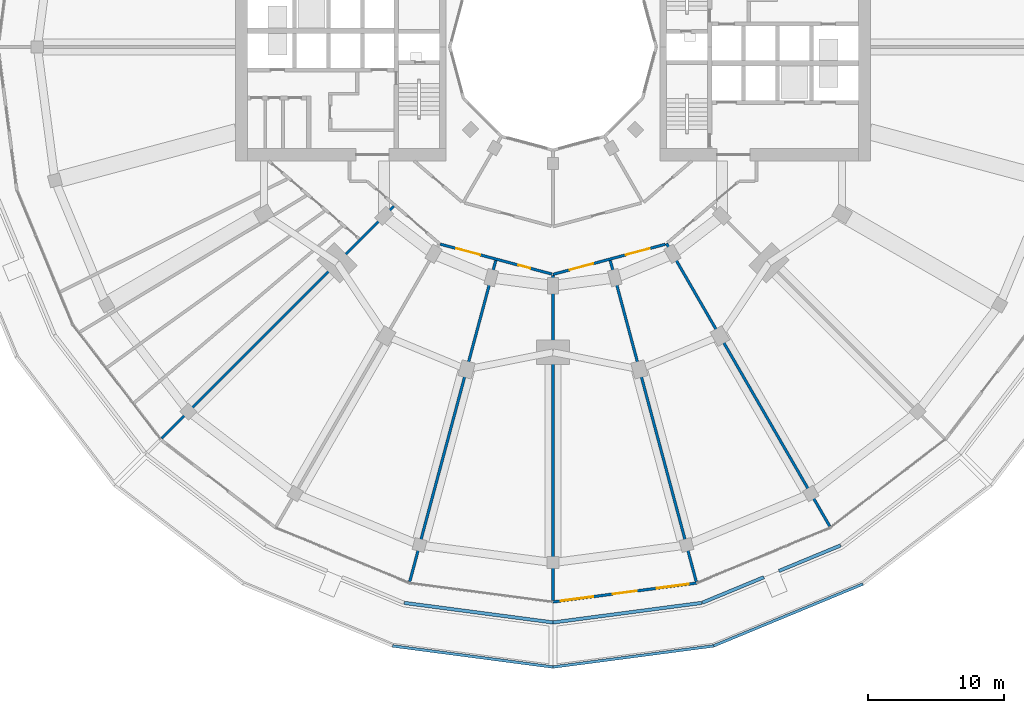
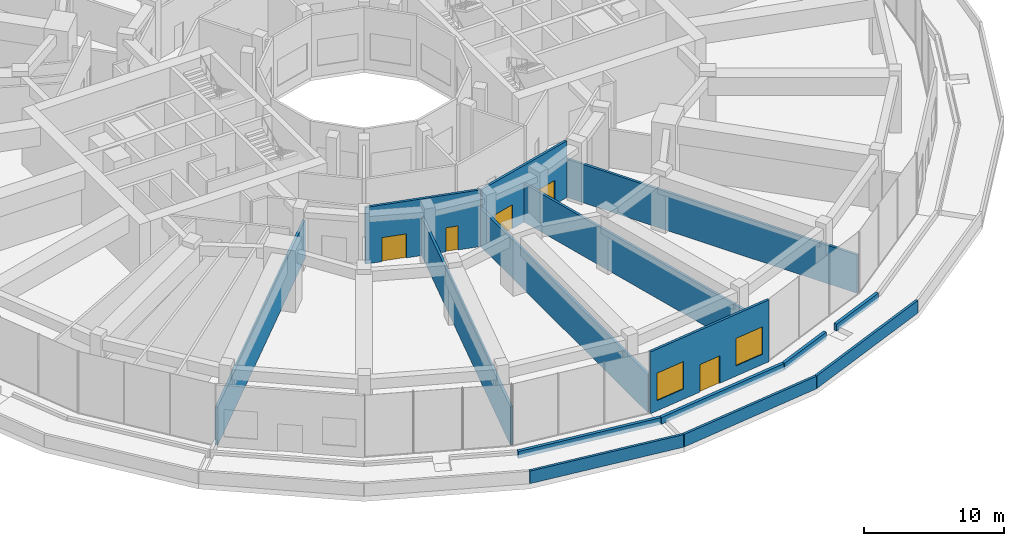
# One storey, part 21 of 30: 15 walls, 5 doors, 2 windows, 7 openings.
"""IFC4 building model written with IfcOpenShell, lengths in metres."""

from ifc_helpers import new_model, si_unit, direction, frame, frame_2d, origin, place, context, subcontext, project, spatial, rectangle, extrude, material, layer, layer_set, type_object, element, fill, save


model = new_model("IFC4")

# Units and contexts
model_context = context("Model", 3, precision=1e-05, world=origin(), true_north=direction((0.0, 1.0)))
body_context = subcontext(model_context, "Body", "Model", "MODEL_VIEW")
ifc_project = project(units=[si_unit("LENGTHUNIT", "METRE"), si_unit("AREAUNIT", "SQUARE_METRE"), si_unit("VOLUMEUNIT", "CUBIC_METRE"), si_unit("PLANEANGLEUNIT", "RADIAN"), si_unit("MASSUNIT", "GRAM", prefix="KILO")], contexts=[model_context])

# Site, building, storey
site_placement = place(None, origin())
site = spatial("IfcSite", under=ifc_project, at=site_placement, CompositionType="ELEMENT")
building_placement = place(site_placement, origin())
building = spatial("IfcBuilding", under=site, at=building_placement, Name="Torre Brocal", CompositionType="ELEMENT")
storey_placement = place(building_placement, frame((0.0, 0.0, 7.0)))
storey = spatial("IfcBuildingStorey", under=building, at=storey_placement, Name="L01", CompositionType="ELEMENT", Elevation=7.0)

# Wall, openings, windows, door
ifc_material_1 = material(Name="Concrete C40", Category="concrete")
ifc_layer_1 = layer(ifc_material_1, 0.199951171875)
ifc_layer_set_1 = layer_set([ifc_layer_1], Name="Concrete C40")
wall_type_1 = type_object("IfcWallType", Name="EXTERNAL WALL 200", PredefinedType="NOTDEFINED", material=ifc_layer_set_1)
wall_1_placement = place(storey_placement, frame((80.0, 34.100830078125, 0.0), z_axis=(0.0, 0.0, 1.0), x_axis=(0.991445420614, 0.130521944298, 0.0)))
wall_1 = element("IfcWall", 1, at=wall_1_placement, inside=storey, type_object=wall_type_1, Name="EXTERNAL WALL", PredefinedType="NOTDEFINED", context=body_context, shape_type="SweptSolid", body=[
    extrude(rectangle(XDim=10.6767578125, YDim=0.199951171875, at=frame_2d((5.33837890625, 0.0))), origin(), (0.0, 0.0, 1.0), 5.39990234375),
])
opening_1_placement = place(wall_1_placement, frame((0.57958984375, 0.0, 0.89990234375)))
opening_1 = element("IfcOpeningElement", 2, at=opening_1_placement, cuts=wall_1, Name="Opening W6", PredefinedType="OPENING", context=body_context, shape_type="SweptSolid", body=[
    extrude(rectangle(XDim=2.39990234375, YDim=2.39990234375, at=frame_2d((1.199951171875, 1.199951171875))), frame((0.0, 0.10986328125, 0.0), z_axis=(0.0, -1.0, 0.0), x_axis=(1.0, 0.0, 0.0)), (0.0, 0.0, 1.0), 0.219970703125),
])
opening_2_placement = place(wall_1_placement, frame((4.4384765625, 0.0, 0.0)))
opening_2 = element("IfcOpeningElement", 3, at=opening_2_placement, cuts=wall_1, Name="Opening L01-E07", PredefinedType="OPENING", context=body_context, shape_type="SweptSolid", body=[
    extrude(rectangle(XDim=1.800048828125, YDim=2.39990234375, at=frame_2d((0.89990234375, 1.199951171875))), frame((0.0, 0.10986328125, 0.0), z_axis=(0.0, -1.0, 0.0), x_axis=(1.0, 0.0, 0.0)), (0.0, 0.0, 1.0), 0.219970703125),
])
opening_3_placement = place(wall_1_placement, frame((7.697265625, 0.0, 0.89990234375)))
opening_3 = element("IfcOpeningElement", 4, at=opening_3_placement, cuts=wall_1, Name="Opening W6", PredefinedType="OPENING", context=body_context, shape_type="SweptSolid", body=[
    extrude(rectangle(XDim=2.39990234375, YDim=2.39990234375, at=frame_2d((1.199951171875, 1.199951171875))), frame((0.0, 0.10986328125, 0.0), z_axis=(0.0, -1.0, 0.0), x_axis=(1.0, 0.0, 0.0)), (0.0, 0.0, 1.0), 0.219970703125),
])
ifc_material_2 = material(Name="Aluminium and glass", Category="aluminium")
window_type = type_object("IfcWindowType", Name="PODIUM WINDOW 2400X2400", PartitioningType="SINGLE_PANEL", PredefinedType="WINDOW", material=ifc_material_2)
window_1_placement = place(opening_1_placement, origin())
window_1 = element("IfcWindow", 5, at=window_1_placement, inside=storey, type_object=window_type, Name="PODIUM WINDOW 2400X2400", OverallHeight=2.39990234375, OverallWidth=2.39990234375, PartitioningType="SINGLE_PANEL", PredefinedType="WINDOW", context=body_context, shape_type="SweptSolid", body=[
    extrude(rectangle(XDim=2.39990234375, YDim=2.39990234375, at=frame_2d((1.199951171875, 1.199951171875))), frame((0.0, 0.030029296875, 0.0), z_axis=(0.0, -1.0, 0.0), x_axis=(1.0, 0.0, 0.0)), (0.0, 0.0, 1.0), 0.06005859375),
])
fill(opening_1, window_1)
window_2_placement = place(opening_3_placement, origin())
window_2 = element("IfcWindow", 6, at=window_2_placement, inside=storey, type_object=window_type, Name="PODIUM WINDOW 2400X2400", OverallHeight=2.39990234375, OverallWidth=2.39990234375, PartitioningType="SINGLE_PANEL", PredefinedType="WINDOW", context=body_context, shape_type="SweptSolid", body=[
    extrude(rectangle(XDim=2.39990234375, YDim=2.39990234375, at=frame_2d((1.199951171875, 1.199951171875))), frame((0.0, 0.030029296875, 0.0), z_axis=(0.0, -1.0, 0.0), x_axis=(1.0, 0.0, 0.0)), (0.0, 0.0, 1.0), 0.06005859375),
])
fill(opening_3, window_2)
ifc_material_3 = material(Name="Aluminium and glass", Category="aluminium")
door_type_1 = type_object("IfcDoorType", Name="TERRACE DOUBLE DOOR 1800X2400", OperationType="DOUBLE_DOOR_SINGLE_SWING", PredefinedType="DOOR", material=ifc_material_3)
door_1_placement = place(opening_2_placement, frame((1.800048828125, 0.0, 0.0), z_axis=(0.0, 0.0, 1.0), x_axis=(-1.0, 0.0, 0.0)))
door_1 = element("IfcDoor", 7, at=door_1_placement, inside=storey, type_object=door_type_1, Name="DOOR L01-E07", OperationType="DOUBLE_DOOR_SINGLE_SWING", OverallHeight=2.39990234375, OverallWidth=1.800048828125, PredefinedType="DOOR", context=body_context, shape_type="SweptSolid", body=[
    extrude(rectangle(XDim=1.800048828125, YDim=2.39990234375, at=frame_2d((0.89990234375, 1.199951171875))), frame((0.0, 0.02490234375, 0.0), z_axis=(0.0, -1.0, 0.0), x_axis=(1.0, 0.0, 0.0)), (0.0, 0.0, 1.0), 0.050048828125),
])
fill(opening_2, door_1)

# Walls
ifc_material_4 = material(Name="Concrete C40", Category="concrete")
ifc_layer_2 = layer(ifc_material_4, 0.199951171875)
ifc_layer_set_2 = layer_set([ifc_layer_2], Name="Concrete C40")
wall_type_2 = type_object("IfcWallType", Name="PARAPET WALL 200 THICK 1100 HIGH", PredefinedType="PARAPET", material=ifc_layer_set_2)
wall_2_placement = place(storey_placement, frame((102.83642578125, 35.419921875, 0.0), z_axis=(0.0, 0.0, 1.0), x_axis=(-0.923875337263, -0.382693560434, 0.0)))
element("IfcWall", 8, at=wall_2_placement, inside=storey, type_object=wall_type_2, Name="PARAPET WALL 5", PredefinedType="PARAPET", context=body_context, shape_type="SweptSolid", body=[
    extrude(rectangle(XDim=11.90283203125, YDim=0.199951171875, at=frame_2d((5.951416015625, 0.0))), origin(), (0.0, 0.0, 1.0), 1.10009765625),
])
for number, where, z_axis, x_axis, name in (
    (9, (91.814208984375, 30.85791015625, 0.0), (0.0, 0.0, 1.0), (-0.991444379426, -0.130529852925, 0.0), "PARAPET WALL 6"),
    (10, (79.987060546875, 29.30419921875, 0.0), (0.0, 0.0, 1.0), (-0.991444379426, 0.130529852925, 0.0), "PARAPET WALL 7"),
):
    element("IfcWall", number, at=place(storey_placement, frame(where, z_axis=z_axis, x_axis=x_axis)), inside=storey, type_object=wall_type_2, Name=name, PredefinedType="PARAPET", context=body_context, shape_type="SweptSolid", body=[
        extrude(rectangle(XDim=11.903076171875, YDim=0.199951171875, at=frame_2d((5.95166015625, 0.0))), origin(), (0.0, 0.0, 1.0), 1.10009765625),
    ])

# Wall, openings, doors
ifc_material_5 = material(Name="Gypsum board", Category="Gypsum")
ifc_layer_3 = layer(ifc_material_5, 0.199951171875)
ifc_layer_set_3 = layer_set([ifc_layer_3], Name="Gypsum board")
wall_type_3 = type_object("IfcWallType", Name="PARTITION 200 EI60", PredefinedType="PARTITIONING", material=ifc_layer_set_3)
wall_3_placement = place(storey_placement, frame((71.68505859375, 60.46826171875, 0.0), z_axis=(0.0, 0.0, 1.0), x_axis=(0.96590736437, -0.258887936097, 0.0)))
wall_3 = element("IfcWall", 11, at=wall_3_placement, inside=storey, type_object=wall_type_3, Name="CORRIDOR WALL", PredefinedType="PARTITIONING", context=body_context, shape_type="SweptSolid", body=[
    extrude(rectangle(XDim=8.5185546875, YDim=0.199951171875, at=frame_2d((4.25927734375, 0.0))), origin(), (0.0, 0.0, 1.0), 4.949951171875),
])
opening_4_placement = place(wall_3_placement, frame((5.9794921875, 0.0, 0.0)))
opening_4 = element("IfcOpeningElement", 12, at=opening_4_placement, cuts=wall_3, Name="Opening PD1-D22", PredefinedType="OPENING", context=body_context, shape_type="SweptSolid", body=[
    extrude(rectangle(XDim=0.89990234375, YDim=2.10009765625, at=frame_2d((0.449951171875, 1.050048828125))), frame((0.0, 0.10986328125, 0.0), z_axis=(0.0, -1.0, 0.0), x_axis=(1.0, 0.0, 0.0)), (0.0, 0.0, 1.0), 0.219970703125),
])
opening_5_placement = place(wall_3_placement, frame((1.2451171875, 0.0, 0.0)))
opening_5 = element("IfcOpeningElement", 13, at=opening_5_placement, cuts=wall_3, Name="Opening PD1-D23", PredefinedType="OPENING", context=body_context, shape_type="SweptSolid", body=[
    extrude(rectangle(XDim=1.800048828125, YDim=2.10009765625, at=frame_2d((0.89990234375, 1.050048828125))), frame((0.0, 0.10986328125, 0.0), z_axis=(0.0, -1.0, 0.0), x_axis=(1.0, 0.0, 0.0)), (0.0, 0.0, 1.0), 0.219970703125),
])
ifc_material_6 = material(Name="Timber", Category="wood")
door_type_2 = type_object("IfcDoorType", Name="DOUBLE DOOR 1800X2100", OperationType="DOUBLE_DOOR_SINGLE_SWING", PredefinedType="DOOR", material=ifc_material_6)
door_2_placement = place(opening_5_placement, frame((1.800048828125, 0.0, 0.0), z_axis=(0.0, 0.0, 1.0), x_axis=(-1.0, 0.0, 0.0)))
door_2 = element("IfcDoor", 14, at=door_2_placement, inside=storey, type_object=door_type_2, Name="PD1-D23", OperationType="DOUBLE_DOOR_SINGLE_SWING", OverallHeight=2.10009765625, OverallWidth=1.800048828125, PredefinedType="DOOR", context=body_context, shape_type="SweptSolid", body=[
    extrude(rectangle(XDim=1.800048828125, YDim=2.10009765625, at=frame_2d((0.89990234375, 1.050048828125))), frame((0.0, 0.02490234375, 0.0), z_axis=(0.0, -1.0, 0.0), x_axis=(1.0, 0.0, 0.0)), (0.0, 0.0, 1.0), 0.050048828125),
])
fill(opening_5, door_2)
ifc_material_7 = material(Name="Timber", Category="wood")
door_type_3 = type_object("IfcDoorType", Name="ROOM DOOR 900X2100", OperationType="SINGLE_SWING_LEFT", PredefinedType="DOOR", material=ifc_material_7)
door_3_placement = place(opening_4_placement, frame((0.89990234375, 0.0, 0.0), z_axis=(0.0, 0.0, 1.0), x_axis=(-1.0, 0.0, 0.0)))
door_3 = element("IfcDoor", 15, at=door_3_placement, inside=storey, type_object=door_type_3, Name="PD1-D22", OperationType="SINGLE_SWING_RIGHT", OverallHeight=2.10009765625, OverallWidth=0.89990234375, PredefinedType="DOOR", context=body_context, shape_type="SweptSolid", body=[
    extrude(rectangle(XDim=0.89990234375, YDim=2.10009765625, at=frame_2d((0.449951171875, 1.050048828125))), frame((0.0, 0.02490234375, 0.0), z_axis=(0.0, -1.0, 0.0), x_axis=(1.0, 0.0, 0.0)), (0.0, 0.0, 1.0), 0.050048828125),
])
fill(opening_4, door_3)

wall_4_placement = place(storey_placement, frame((80.0, 58.240234375, 0.0), z_axis=(0.0, 0.0, 1.0), x_axis=(0.965945381016, 0.258746054836, 0.0)))
wall_4 = element("IfcWall", 16, at=wall_4_placement, inside=storey, type_object=wall_type_3, Name="CORRIDOR WALL", PredefinedType="PARTITIONING", context=body_context, shape_type="SweptSolid", body=[
    extrude(rectangle(XDim=8.568359375, YDim=0.199951171875, at=frame_2d((4.2841796875, 0.0))), origin(), (0.0, 0.0, 1.0), 4.949951171875),
])
opening_6_placement = place(wall_4_placement, frame((5.563232421875, 0.0, 0.0)))
opening_6 = element("IfcOpeningElement", 17, at=opening_6_placement, cuts=wall_4, Name="Opening PD1-D20", PredefinedType="OPENING", context=body_context, shape_type="SweptSolid", body=[
    extrude(rectangle(XDim=1.800048828125, YDim=2.10009765625, at=frame_2d((0.89990234375, 1.050048828125))), frame((0.0, 0.10986328125, 0.0), z_axis=(0.0, -1.0, 0.0), x_axis=(1.0, 0.0, 0.0)), (0.0, 0.0, 1.0), 0.219970703125),
])
opening_7_placement = place(wall_4_placement, frame((1.27880859375, 0.0, 0.0)))
opening_7 = element("IfcOpeningElement", 18, at=opening_7_placement, cuts=wall_4, Name="Opening PD1-D21", PredefinedType="OPENING", context=body_context, shape_type="SweptSolid", body=[
    extrude(rectangle(XDim=1.800048828125, YDim=2.10009765625, at=frame_2d((0.89990234375, 1.050048828125))), frame((0.0, 0.10986328125, 0.0), z_axis=(0.0, -1.0, 0.0), x_axis=(1.0, 0.0, 0.0)), (0.0, 0.0, 1.0), 0.219970703125),
])
door_4_placement = place(opening_6_placement, frame((1.800048828125, 0.0, 0.0), z_axis=(0.0, 0.0, 1.0), x_axis=(-1.0, 0.0, 0.0)))
door_4 = element("IfcDoor", 19, at=door_4_placement, inside=storey, type_object=door_type_2, Name="PD1-D20", OperationType="DOUBLE_DOOR_SINGLE_SWING", OverallHeight=2.10009765625, OverallWidth=1.800048828125, PredefinedType="DOOR", context=body_context, shape_type="SweptSolid", body=[
    extrude(rectangle(XDim=1.800048828125, YDim=2.10009765625, at=frame_2d((0.89990234375, 1.050048828125))), frame((0.0, 0.02490234375, 0.0), z_axis=(0.0, -1.0, 0.0), x_axis=(1.0, 0.0, 0.0)), (0.0, 0.0, 1.0), 0.050048828125),
])
fill(opening_6, door_4)
door_5_placement = place(opening_7_placement, frame((1.800048828125, 0.0, 0.0), z_axis=(0.0, 0.0, 1.0), x_axis=(-1.0, 0.0, 0.0)))
door_5 = element("IfcDoor", 20, at=door_5_placement, inside=storey, type_object=door_type_2, Name="PD1-D21", OperationType="DOUBLE_DOOR_SINGLE_SWING", OverallHeight=2.10009765625, OverallWidth=1.800048828125, PredefinedType="DOOR", context=body_context, shape_type="SweptSolid", body=[
    extrude(rectangle(XDim=1.800048828125, YDim=2.10009765625, at=frame_2d((0.89990234375, 1.050048828125))), frame((0.0, 0.02490234375, 0.0), z_axis=(0.0, -1.0, 0.0), x_axis=(1.0, 0.0, 0.0)), (0.0, 0.0, 1.0), 0.050048828125),
])
fill(opening_7, door_5)

# Walls
ifc_material_8 = material(Name="Gypsum board", Category="Gypsum")
ifc_layer_4 = layer(ifc_material_8, 0.199951171875)
ifc_layer_set_4 = layer_set([ifc_layer_4], Name="Gypsum board")
wall_type_4 = type_object("IfcWallType", Name="PARTITION 200 EI60 UNDER BEAM 2050", PredefinedType="PARTITIONING", material=ifc_layer_set_4)
wall_5_placement = place(storey_placement, frame((51.151611328125, 46.151611328125, 0.0), z_axis=(0.0, 0.0, 1.0), x_axis=(0.707101737431, 0.707111824906, 0.0)))
element("IfcWall", 21, at=wall_5_placement, inside=storey, type_object=wall_type_4, Name="PARTY PARTITION", PredefinedType="PARTITIONING", context=body_context, shape_type="SweptSolid", body=[
    extrude(rectangle(XDim=24.202392578125, YDim=0.199951171875, at=frame_2d((12.10107421875, 0.0))), origin(), (0.0, 0.0, 1.0), 3.35009765625),
])
wall_6_placement = place(storey_placement, frame((69.4404296875, 35.593017578125, 0.0), z_axis=(0.0, 0.0, 1.0), x_axis=(0.258831188554, 0.965922572379, 0.0)))
element("IfcWall", 22, at=wall_6_placement, inside=storey, type_object=wall_type_4, Name="PARTY PARTITION", PredefinedType="PARTITIONING", context=body_context, shape_type="SweptSolid", body=[
    extrude(rectangle(XDim=24.50830078125, YDim=0.199951171875, at=frame_2d((12.254150390625, 0.0))), origin(), (0.0, 0.0, 1.0), 3.35009765625),
])
wall_7_placement = place(storey_placement, frame((80.0, 34.201904296875, 0.0), z_axis=(0.0, 0.0, 1.0), x_axis=(0.0, 1.0, 0.0)))
element("IfcWall", 23, at=wall_7_placement, inside=storey, type_object=wall_type_4, Name="PARTY PARTITION", PredefinedType="PARTITIONING", context=body_context, shape_type="SweptSolid", body=[
    extrude(rectangle(XDim=23.947998046875, YDim=0.199951171875, at=frame_2d((11.97412109375, 0.0))), origin(), (0.0, 0.0, 1.0), 3.35009765625),
])
wall_8_placement = place(storey_placement, frame((84.2158203125, 59.26611328125, 0.0), z_axis=(0.0, 0.0, 1.0), x_axis=(0.25879832519, -0.965931377935, 0.0)))
element("IfcWall", 24, at=wall_8_placement, inside=storey, type_object=wall_type_4, Name="PARTY PARTITION", PredefinedType="PARTITIONING", context=body_context, shape_type="SweptSolid", body=[
    extrude(rectangle(XDim=24.508544921875, YDim=0.199951171875, at=frame_2d((12.25439453125, 0.0))), origin(), (0.0, 0.0, 1.0), 3.35009765625),
])
wall_9_placement = place(storey_placement, frame((88.364990234375, 60.510986328125, 0.0), z_axis=(0.0, 0.0, 1.0), x_axis=(0.499982659674, -0.866035414995, 0.0)))
element("IfcWall", 25, at=wall_9_placement, inside=storey, type_object=wall_type_4, Name="PARTY PARTITION", PredefinedType="PARTITIONING", context=body_context, shape_type="SweptSolid", body=[
    extrude(rectangle(XDim=24.067626953125, YDim=0.199951171875, at=frame_2d((12.03369140625, 0.0))), origin(), (0.0, 0.0, 1.0), 3.35009765625),
])
ifc_material_9 = material(Name="Concrete C35", Category="concrete")
ifc_layer_5 = layer(ifc_material_9, 0.25)
ifc_layer_set_5 = layer_set([ifc_layer_5], Name="Concrete C35")
wall_type_5 = type_object("IfcWallType", Name="PLANTER WALL 250 THICK 600 HIGH", PredefinedType="USERDEFINED", material=ifc_layer_set_5)
wall_10_placement = place(storey_placement, frame((80.0, 32.587890625, 0.0), z_axis=(0.0, 0.0, 1.0), x_axis=(-0.991443543519, 0.130536201932, 0.0)))
element("IfcWall", 26, at=wall_10_placement, inside=storey, type_object=wall_type_5, Name="PLANTER", ObjectType="PLANTER", PredefinedType="USERDEFINED", context=body_context, shape_type="SweptSolid", body=[
    extrude(rectangle(XDim=11.05517578125, YDim=0.25, at=frame_2d((5.527587890625, 0.0))), origin(), (0.0, 0.0, 1.0), 0.60009765625),
])
for number, where, z_axis, x_axis, name in (
    (27, (101.19091796875, 38.263671875, 0.0), (0.0, 0.0, 1.0), (-0.923879526846, -0.382683446042, 0.0), "PLANTER"),
    (28, (95.537109375, 35.921875, 0.0), (0.0, 0.0, 1.0), (-0.923879526846, -0.382683446042, 0.0), "PLANTER"),
):
    element("IfcWall", number, at=place(storey_placement, frame(where, z_axis=z_axis, x_axis=x_axis)), inside=storey, type_object=wall_type_5, Name=name, ObjectType="PLANTER", PredefinedType="USERDEFINED", context=body_context, shape_type="SweptSolid", body=[
        extrude(rectangle(XDim=4.91943359375, YDim=0.25, at=frame_2d((2.459716796875, 0.0))), origin(), (0.0, 0.0, 1.0), 0.60009765625),
    ])
wall_11_placement = place(storey_placement, frame((90.960693359375, 34.031005859375, 0.0), z_axis=(0.0, 0.0, 1.0), x_axis=(-0.991443543519, -0.130536201932, 0.0)))
element("IfcWall", 29, at=wall_11_placement, inside=storey, type_object=wall_type_5, Name="PLANTER", ObjectType="PLANTER", PredefinedType="USERDEFINED", context=body_context, shape_type="SweptSolid", body=[
    extrude(rectangle(XDim=11.05517578125, YDim=0.25, at=frame_2d((5.527587890625, 0.0))), origin(), (0.0, 0.0, 1.0), 0.60009765625),
])

save(model, "model.ifc")
